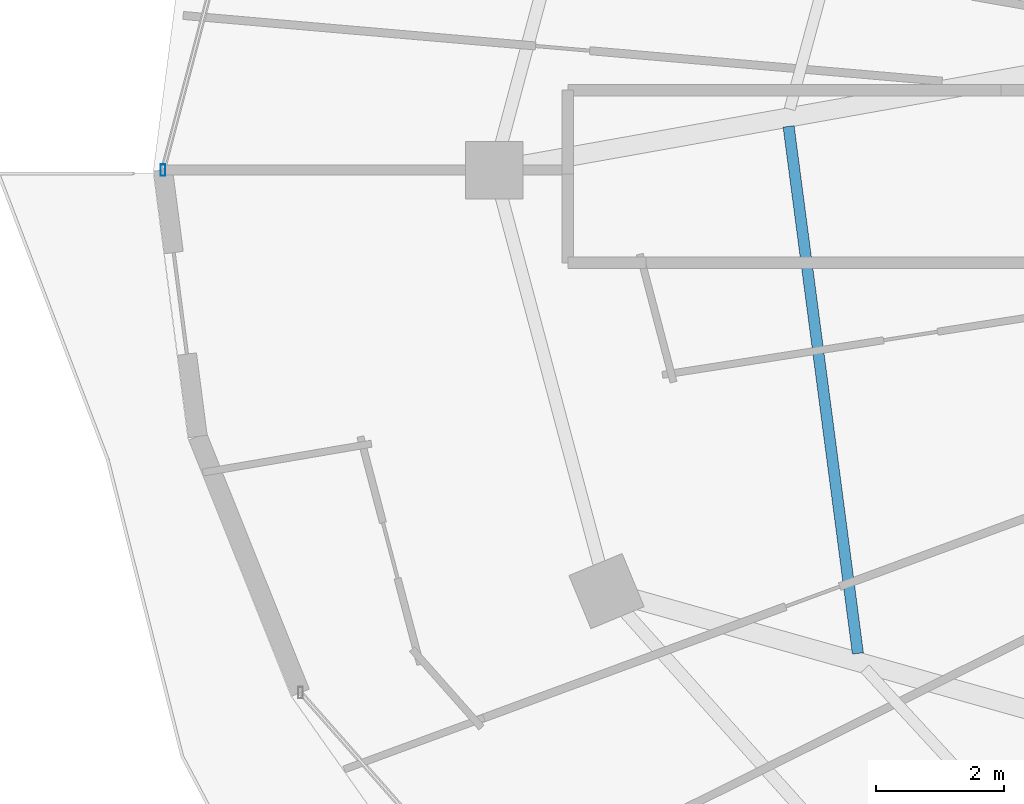
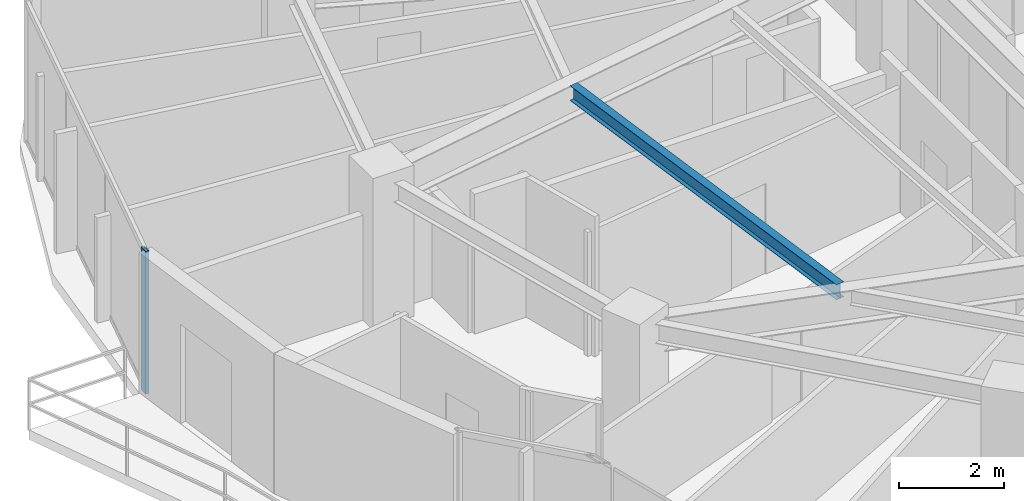
# One storey, part 7 of 34: 1 beam, 1 member, 1 element without a shape of its own.
"""IFC4 building model written with IfcOpenShell, lengths in metres."""

import ifcopenshell
import ifcopenshell.guid

model = None  # the IFC model being written
_history = None  # IfcOwnerHistory: only IFC2X3 demands one
_inside = {}  # id of a spatial element -> (the spatial element, [elements in it])
_under = {}  # id of a project, library or spatial element -> (it, [spatial elements below it])
_declared = {}  # id of a project -> (the project, [libraries it declares])
_typed = {}  # id of a type object -> (the type object, [elements of that type])
_made_of = {}  # id of a material, layer set ... -> (it, [elements and type objects made of it])


def new_model(schema):
    """Start an empty IFC model of exactly this schema.

    Asked for "IFC4X3", IfcOpenShell would pick the latest addendum, in which some entities
    have other attributes; the version numbers below select the first issue.
    IFC2X3 requires an IfcOwnerHistory on every rooted entity: one is made here for all.
    """
    global model, _history
    if schema == "IFC4X3":
        model = ifcopenshell.file(schema_version=(4, 3, 0, 0))
    else:
        model = ifcopenshell.file(schema=schema)
    _inside.clear()
    _under.clear()
    _declared.clear()
    _typed.clear()
    _made_of.clear()
    _history = None
    if model.schema == "IFC2X3":
        org = make("IfcOrganization", Name="unknown")
        user = make(
            "IfcPersonAndOrganization",
            ThePerson=make("IfcPerson", FamilyName="unknown"),
            TheOrganization=org,
        )
        app = make(
            "IfcApplication",
            ApplicationDeveloper=org,
            Version="unknown",
            ApplicationFullName="unknown",
            ApplicationIdentifier="unknown",
        )
        _history = make(
            "IfcOwnerHistory",
            OwningUser=user,
            OwningApplication=app,
            ChangeAction="ADDED",
            CreationDate=0,
        )
    return model


def make(cls, **values):
    """One entity of the class cls with the attributes given. An attribute that is None is left unset."""
    return model.create_entity(
        cls, **{name: value for name, value in values.items() if value is not None}
    )


def rooted(cls, **values):
    """An entity with a GlobalId (a new one), such as an element, a storey or a relation."""
    return make(cls, GlobalId=ifcopenshell.guid.new(), OwnerHistory=_history, **values)


def si_unit(unit_type, name, prefix=None):
    """IfcSIUnit, for example si_unit("LENGTHUNIT", "METRE", prefix="MILLI")."""
    return make("IfcSIUnit", UnitType=unit_type, Prefix=prefix, Name=name)


def assignment(units):
    """IfcUnitAssignment: the units of a project."""
    return None if units is None else make("IfcUnitAssignment", Units=units)


def point(xyz):
    """IfcCartesianPoint."""
    return None if xyz is None else make("IfcCartesianPoint", Coordinates=xyz)


def direction(xyz):
    """IfcDirection."""
    return None if xyz is None else make("IfcDirection", DirectionRatios=xyz)


def frame(location, z_axis=None, x_axis=None):
    """IfcAxis2Placement3D, a coordinate frame: its origin and axes. An axis left out is left unset."""
    return make(
        "IfcAxis2Placement3D",
        Location=point(location),
        Axis=direction(z_axis),
        RefDirection=direction(x_axis),
    )


def frame_2d(location, x_axis=None):
    """IfcAxis2Placement2D, a coordinate frame in the plane: its origin and x axis."""
    return make(
        "IfcAxis2Placement2D", Location=point(location), RefDirection=direction(x_axis)
    )


def origin():
    """The frame at (0, 0, 0) with its axes left unset."""
    return frame((0.0, 0.0, 0.0))


def origin_2d():
    """The frame at (0, 0) in the plane with its x axis left unset."""
    return frame_2d((0.0, 0.0))


def place(relative_to, where):
    """IfcLocalPlacement: puts the frame where relative to a parent placement (None: the world)."""
    return make(
        "IfcLocalPlacement", PlacementRelTo=relative_to, RelativePlacement=where
    )


def context(
    kind, dimensions, precision=None, world=None, true_north=None, identifier=None
):
    """IfcGeometricRepresentationContext, for example the 3D "Model" context."""
    return make(
        "IfcGeometricRepresentationContext",
        ContextIdentifier=identifier,
        ContextType=kind,
        CoordinateSpaceDimension=dimensions,
        Precision=precision,
        WorldCoordinateSystem=world,
        TrueNorth=true_north,
    )


def subcontext(parent, identifier, kind, view, scale=None):
    """IfcGeometricRepresentationSubContext, for example "Body" below "Model"."""
    return make(
        "IfcGeometricRepresentationSubContext",
        ContextIdentifier=identifier,
        ContextType=kind,
        ParentContext=parent,
        TargetScale=scale,
        TargetView=view,
    )


def project(units=None, contexts=None):
    """IfcProject with its units and contexts."""
    return rooted(
        "IfcProject",
        Name="project",
        RepresentationContexts=contexts,
        UnitsInContext=assignment(units),
    )


def spatial(cls, under=None, at=None, **own):
    """A site, building, storey or space (cls), placed at a placement, below another one or the project."""
    s = rooted(cls, ObjectPlacement=at, **own)
    if under is not None:
        _under.setdefault(under.id(), (under, []))[1].append(s)
    return s


def profile(cls, at=None, kind="AREA", **sizes):
    """A parametric profile (cls). Its sizes go by their IFC names, for example OverallWidth=200.0."""
    return make(cls, ProfileType=kind, Position=at, **sizes)


def hollow_rectangle(**sizes):
    """IfcRectangleHollowProfileDef."""
    return profile("IfcRectangleHollowProfileDef", **sizes)


def i_section(**sizes):
    """IfcIShapeProfileDef."""
    return profile("IfcIShapeProfileDef", **sizes)


def extrude(swept, where, along, depth):
    """IfcExtrudedAreaSolid: the profile swept, set in the frame where, extruded along a direction by depth."""
    return make(
        "IfcExtrudedAreaSolid",
        SweptArea=swept,
        Position=where,
        ExtrudedDirection=direction(along),
        Depth=depth,
    )


def shape(context_of_items, identifier, shape_type, items):
    """IfcShapeRepresentation: the items that make up one representation, for example the "Body"."""
    return make(
        "IfcShapeRepresentation",
        ContextOfItems=context_of_items,
        RepresentationIdentifier=identifier,
        RepresentationType=shape_type,
        Items=items,
    )


def material(Name=None, Category=None):
    """IfcMaterial."""
    return make("IfcMaterial", Name=Name, Category=Category)


def material_profile(
    of_material, cross_section, Name=None, Category=None, Priority=None
):
    """IfcMaterialProfile: a cross section and its material."""
    return make(
        "IfcMaterialProfile",
        Name=Name,
        Material=of_material,
        Profile=cross_section,
        Priority=Priority,
        Category=Category,
    )


def profile_set(profiles, Name=None, composite=None):
    """IfcMaterialProfileSet."""
    return make(
        "IfcMaterialProfileSet",
        Name=Name,
        MaterialProfiles=profiles,
        CompositeProfile=composite,
    )


def made_of(thing, what):
    """Note that an element or type object is made of a material, layer set ...; save() writes the relation."""
    if what is not None:
        _made_of.setdefault(what.id(), (what, []))[1].append(thing)
    return thing


def type_object(cls, material=None, **own):
    """A type object (cls), such as IfcWallType, which elements share."""
    return made_of(rooted(cls, **own), material)


def element(
    cls,
    number,
    at=None,
    inside=None,
    cuts=None,
    type_object=None,
    material=None,
    context=None,
    identifier="Body",
    shape_type=None,
    held_by="IfcProductDefinitionShape",
    body=None,
    shapes=None,
    **own,
):
    """One element of the class cls, such as IfcWall. Its Tag is "e" and its number.

    at: its placement. inside: the storey or other place that contains it. cuts: it is an
    opening in that element (IfcRelVoidsElement). A single representation is given by context,
    identifier, shape_type and body (its items); several are given by shapes. held_by: the class
    of the entity that holds the representations. save() writes the other relations.
    """
    e = rooted(cls, Tag="e%d" % number, ObjectPlacement=at, **own)
    if body is not None:
        shapes = [shape(context, identifier, shape_type, body)]
    if shapes is not None:
        e.Representation = make(held_by, Representations=shapes)
    if inside is not None:
        _inside.setdefault(inside.id(), (inside, []))[1].append(e)
    if cuts is not None:
        rooted(
            "IfcRelVoidsElement", RelatingBuildingElement=cuts, RelatedOpeningElement=e
        )
    if type_object is not None:
        _typed.setdefault(type_object.id(), (type_object, []))[1].append(e)
    return made_of(e, material)


def aggregate(whole, parts):
    """IfcRelAggregates: a whole, such as a stair, and the parts it consists of."""
    return rooted("IfcRelAggregates", RelatingObject=whole, RelatedObjects=parts)


def save(model, path):
    """Write the relations noted so far, then the file.

    IfcRelAggregates (storeys below a building ...), IfcRelContainedInSpatialStructure (elements
    in a storey), IfcRelDefinesByType, IfcRelAssociatesMaterial and IfcRelDeclares: one each for
    every whole, place, type object, material and project.
    """
    for whole, parts in _under.values():
        aggregate(whole, parts)
    for where, things in _inside.values():
        rooted(
            "IfcRelContainedInSpatialStructure",
            RelatedElements=things,
            RelatingStructure=where,
        )
    for kind, things in _typed.values():
        rooted("IfcRelDefinesByType", RelatedObjects=things, RelatingType=kind)
    for what, things in _made_of.values():
        rooted("IfcRelAssociatesMaterial", RelatedObjects=things, RelatingMaterial=what)
    for by, libraries in _declared.values():
        rooted("IfcRelDeclares", RelatingContext=by, RelatedDefinitions=libraries)
    model.write(path)


model = new_model("IFC4")

# Units and contexts
model_context = context("Model", 3, precision=1e-05, world=origin(), true_north=direction((0.0, 1.0)))
body_context = subcontext(model_context, "Body", "Model", "MODEL_VIEW")
ifc_project = project(units=[si_unit("LENGTHUNIT", "METRE"), si_unit("AREAUNIT", "SQUARE_METRE"), si_unit("VOLUMEUNIT", "CUBIC_METRE"), si_unit("PLANEANGLEUNIT", "RADIAN"), si_unit("MASSUNIT", "GRAM", prefix="KILO")], contexts=[model_context])

# Site, building, storey
site_placement = place(None, origin())
site = spatial("IfcSite", under=ifc_project, at=site_placement, CompositionType="ELEMENT")
building_placement = place(site_placement, origin())
building = spatial("IfcBuilding", under=site, at=building_placement, Name="Vorneva Point Tower", CompositionType="ELEMENT")
storey_placement = place(building_placement, frame((0.0, 0.0, 182.60009765625)))
storey = spatial("IfcBuildingStorey", under=building, at=storey_placement, Name="L49", CompositionType="ELEMENT", Elevation=182.60009765625)

# Beam
ifc_material_1 = material(Name="Steel S355", Category="steel")
ifc_material_profile_1 = material_profile(ifc_material_1, i_section(OverallWidth=0.174072265625, OverallDepth=0.345947265625, WebThickness=0.006103515625, FlangeThickness=0.009033203125, at=origin_2d()), Name="35B1")
ifc_profile_set_1 = profile_set([ifc_material_profile_1], Name="Steel S355")
beam_type = type_object("IfcBeamType", Name="BM-SEC-35B1", PredefinedType="BEAM", material=ifc_profile_set_1)
beam_placement = place(storey_placement, frame((19.551513671875, 26.68310546875, 3.06689453125), z_axis=(0.130373961087, -0.991464891093, 0.0), x_axis=(0.991464891093, 0.130373961087, 0.0)))
element("IfcBeam", 1, at=beam_placement, inside=storey, type_object=beam_type, Name="L49 Secondary Floor Beam 1.09", PredefinedType="BEAM", context=body_context, shape_type="SweptSolid", body=[
    extrude(i_section(OverallWidth=0.174072265625, OverallDepth=0.345947265625, WebThickness=0.006103515625, FlangeThickness=0.009033203125, at=origin_2d()), origin(), (0.0, 0.0, 1.0), 8.310791015625),
])

# Curtain wall, member
ifc_material_2 = material(Name="Pale anodised aluminium", Category="aluminium")
curtain_wall_type = type_object("IfcCurtainWallType", Name="CW-RES-SYS", PredefinedType="NOTDEFINED", material=ifc_material_2)
curtain_wall_placement = place(storey_placement, origin())
curtain_wall = element("IfcCurtainWall", 2, at=curtain_wall_placement, inside=storey, type_object=curtain_wall_type, Name="L49 Unitised Curtain Wall CW-L49-R02", PredefinedType="NOTDEFINED")
ifc_material_profile_2 = material_profile(ifc_material_2, hollow_rectangle(XDim=0.074951171875, YDim=0.179931640625, WallThickness=0.00390625, at=origin_2d()), Name="AL-MUL 180x75x4")
ifc_profile_set_2 = profile_set([ifc_material_profile_2], Name="Pale anodised aluminium")
member_type = type_object("IfcMemberType", Name="CW-MUL-180", PredefinedType="MULLION", material=ifc_profile_set_2)
member_placement = place(storey_placement, frame((9.77001953125, 26.0, -0.0400390625), z_axis=(0.0, 0.0, 1.0), x_axis=(1.0, 0.0, 0.0)))
member = element("IfcMember", 3, at=member_placement, type_object=member_type, Name="CW-L49-R02 Mullion 03", PredefinedType="MULLION", context=body_context, shape_type="SweptSolid", body=[
    extrude(hollow_rectangle(XDim=0.074951171875, YDim=0.179931640625, WallThickness=0.00390625, at=origin_2d()), origin(), (0.0, 0.0, 1.0), 3.31005859375),
])
aggregate(curtain_wall, [member])

save(model, "model.ifc")
